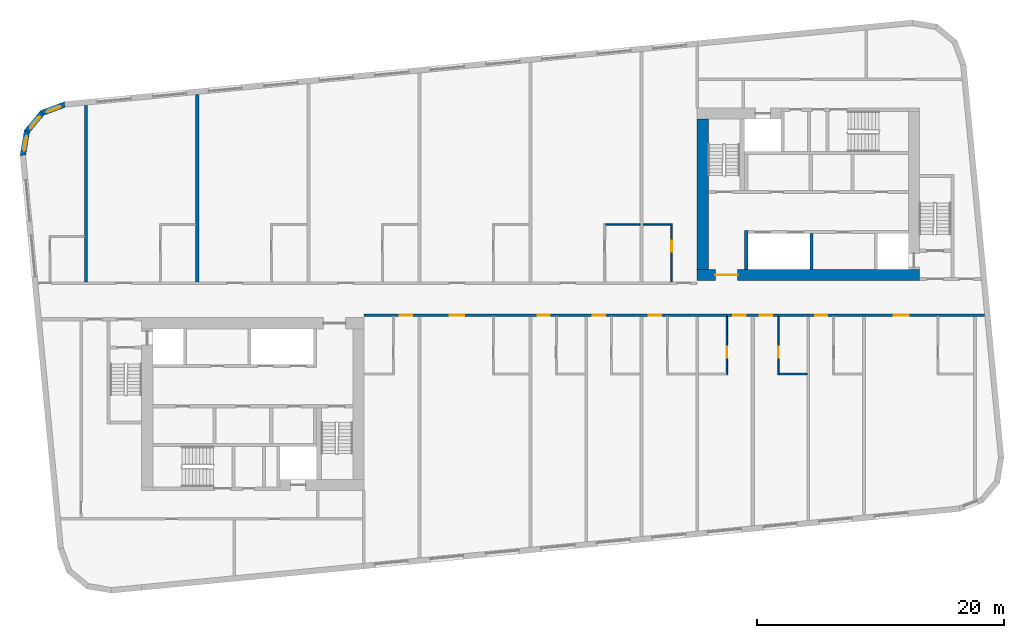
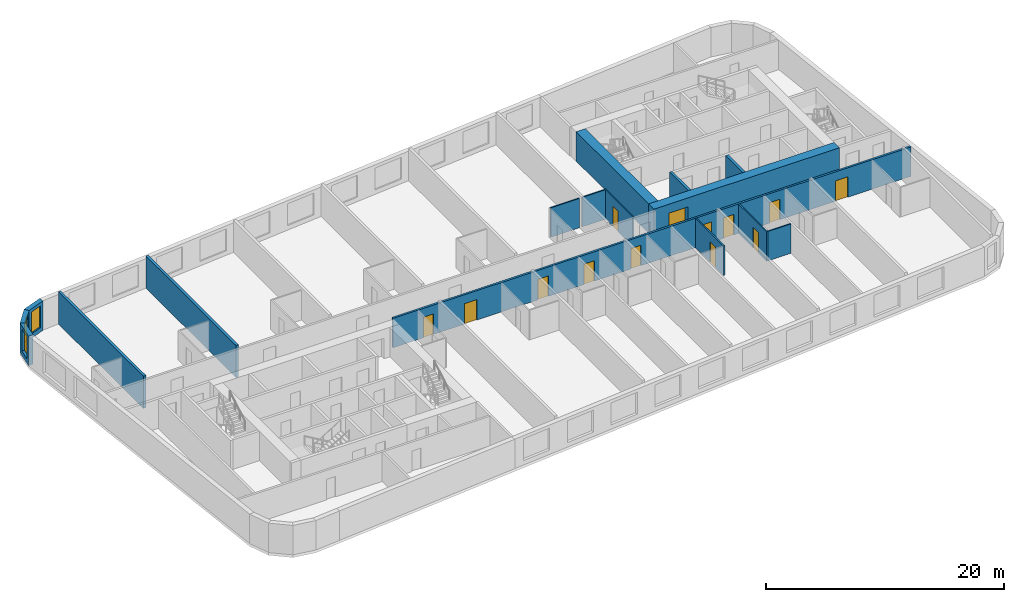
# One storey, part 5 of 11: 16 walls, 13 doors, 3 windows, 16 openings.
"""IFC4 building model written with IfcOpenShell, lengths in metres."""

from ifc_helpers import new_model, si_unit, direction, frame, frame_2d, origin, place, context, subcontext, project, spatial, polyline, rectangle, outline, extrude, material, layer, layer_set, type_object, element, fill, save


model = new_model("IFC4")

# Units and contexts
model_context = context("Model", 3, precision=1e-05, world=origin(), true_north=direction((0.0, 1.0)))
body_context = subcontext(model_context, "Body", "Model", "MODEL_VIEW")
ifc_project = project(units=[si_unit("LENGTHUNIT", "METRE"), si_unit("AREAUNIT", "SQUARE_METRE"), si_unit("VOLUMEUNIT", "CUBIC_METRE"), si_unit("PLANEANGLEUNIT", "RADIAN"), si_unit("MASSUNIT", "GRAM", prefix="KILO")], contexts=[model_context])

# Site, building, storey
site_placement = place(None, origin())
site = spatial("IfcSite", under=ifc_project, at=site_placement, CompositionType="ELEMENT")
building_placement = place(site_placement, origin())
building = spatial("IfcBuilding", under=site, at=building_placement, Name="Kajstack Hotel Tower", CompositionType="ELEMENT")
storey_placement = place(building_placement, frame((0.0, 0.0, 281.699951171875)))
storey = spatial("IfcBuildingStorey", under=building, at=storey_placement, Name="L70", CompositionType="ELEMENT", Elevation=281.699951171875)

# Wall, opening, door
ifc_material_1 = material(Name="Concrete C60/75", Category="concrete")
ifc_layer_1 = layer(ifc_material_1, 0.89990234375)
ifc_layer_set_1 = layer_set([ifc_layer_1], Name="Core wall 900")
wall_type_1 = type_object("IfcWallType", Name="Core wall 900", PredefinedType="SHEAR", material=ifc_layer_set_1)
wall_1_placement = place(storey_placement, frame((13.5, 1.949951171875, 0.0), z_axis=(0.0, 0.0, 1.0), x_axis=(1.0, 0.0, 0.0)))
wall_1 = element("IfcWall", 1, at=wall_1_placement, inside=storey, type_object=wall_type_1, Name="Core wall E RN", PredefinedType="SHEAR", context=body_context, shape_type="SweptSolid", body=[
    extrude(rectangle(XDim=18.0, YDim=0.89990234375, at=frame_2d((9.0, 0.0))), origin(), (0.0, 0.0, 1.0), 3.02001953125),
])
opening_1_placement = place(wall_1_placement, frame((1.47509765625, 0.0, 0.0)))
opening_1 = element("IfcOpeningElement", 2, at=opening_1_placement, cuts=wall_1, Name="Opening 70E05", PredefinedType="OPENING", context=body_context, shape_type="SweptSolid", body=[
    extrude(rectangle(XDim=1.800048828125, YDim=2.10009765625, at=frame_2d((0.89990234375, 1.050048828125))), frame((0.0, 0.4599609375, 0.0), z_axis=(0.0, -1.0, 0.0), x_axis=(1.0, 0.0, 0.0)), (0.0, 0.0, 1.0), 0.919921875),
])
ifc_material_2 = material(Name="Glazed steel frame, fire-rated glass", Category="steel")
door_type_1 = type_object("IfcDoorType", Name="Lobby double door 1800", OperationType="DOUBLE_DOOR_DOUBLE_SWING", PredefinedType="DOOR", material=ifc_material_2)
door_1_placement = place(opening_1_placement, origin())
door_1 = element("IfcDoor", 3, at=door_1_placement, inside=storey, type_object=door_type_1, Name="Door 70E05", OperationType="DOUBLE_DOOR_DOUBLE_SWING", OverallHeight=2.10009765625, OverallWidth=1.800048828125, PredefinedType="DOOR", context=body_context, shape_type="SweptSolid", body=[
    extrude(rectangle(XDim=1.800048828125, YDim=2.10009765625, at=frame_2d((0.89990234375, 1.050048828125))), frame((0.0, 0.02490234375, 0.0), z_axis=(0.0, -1.0, 0.0), x_axis=(1.0, 0.0, 0.0)), (0.0, 0.0, 1.0), 0.050048828125),
])
fill(opening_1, door_1)

# Wall
wall_2_placement = place(storey_placement, frame((13.949951171875, 2.39990234375, 0.0), z_axis=(0.0, 0.0, 1.0), x_axis=(0.0, 1.0, 0.0)))
element("IfcWall", 4, at=wall_2_placement, inside=storey, type_object=wall_type_1, Name="Core wall E RE", PredefinedType="SHEAR", context=body_context, shape_type="SweptSolid", body=[
    extrude(rectangle(XDim=12.2001953125, YDim=0.89990234375, at=frame_2d((6.10009765625, 0.0))), origin(), (0.0, 0.0, 1.0), 3.02001953125),
])

# Wall, openings, doors
ifc_material_3 = material(Name="Gypsum board on steel studs, mineral wool", Category="steel")
ifc_layer_2 = layer(ifc_material_3, 0.199951171875)
ifc_layer_set_2 = layer_set([ifc_layer_2], Name="Corridor wall 200")
wall_type_2 = type_object("IfcWallType", Name="Corridor wall 200", PredefinedType="PARTITIONING", material=ifc_layer_set_2)
wall_3_placement = place(storey_placement, frame((-13.5, -1.300048828125, 0.0), z_axis=(0.0, 0.0, 1.0), x_axis=(1.0, 0.0, 0.0)))
wall_3 = element("IfcWall", 5, at=wall_3_placement, inside=storey, type_object=wall_type_2, Name="G-wall-L70-018", PredefinedType="PARTITIONING", context=body_context, shape_type="SweptSolid", body=[
    extrude(rectangle(XDim=50.29296875, YDim=0.199951171875, at=frame_2d((25.146484375, 0.0))), origin(), (0.0, 0.0, 1.0), 3.02001953125),
])
opening_2_placement = place(wall_3_placement, frame((2.925048828125, 0.0, 0.0)))
opening_2 = element("IfcOpeningElement", 6, at=opening_2_placement, cuts=wall_3, Name="Opening 70015", PredefinedType="OPENING", context=body_context, shape_type="SweptSolid", body=[
    extrude(rectangle(XDim=1.0, YDim=2.10009765625, at=frame_2d((0.5, 1.050048828125))), frame((0.0, 0.10986328125, 0.0), z_axis=(0.0, -1.0, 0.0), x_axis=(1.0, 0.0, 0.0)), (0.0, 0.0, 1.0), 0.219970703125),
])
opening_3_placement = place(wall_3_placement, frame((6.93798828125, 0.0, 0.0)))
opening_3 = element("IfcOpeningElement", 7, at=opening_3_placement, cuts=wall_3, Name="Opening 70017", PredefinedType="OPENING", context=body_context, shape_type="SweptSolid", body=[
    extrude(rectangle(XDim=1.199951171875, YDim=2.10009765625, at=frame_2d((0.60009765625, 1.050048828125))), frame((0.0, 0.10986328125, 0.0), z_axis=(0.0, -1.0, 0.0), x_axis=(1.0, 0.0, 0.0)), (0.0, 0.0, 1.0), 0.219970703125),
])
opening_4_placement = place(wall_3_placement, frame((14.074951171875, 0.0, 0.0)))
opening_4 = element("IfcOpeningElement", 8, at=opening_4_placement, cuts=wall_3, Name="Opening 70019", PredefinedType="OPENING", context=body_context, shape_type="SweptSolid", body=[
    extrude(rectangle(XDim=1.0, YDim=2.10009765625, at=frame_2d((0.5, 1.050048828125))), frame((0.0, 0.10986328125, 0.0), z_axis=(0.0, -1.0, 0.0), x_axis=(1.0, 0.0, 0.0)), (0.0, 0.0, 1.0), 0.219970703125),
])
opening_5_placement = place(wall_3_placement, frame((18.550048828125, 0.0, 0.0)))
opening_5 = element("IfcOpeningElement", 9, at=opening_5_placement, cuts=wall_3, Name="Opening 70021", PredefinedType="OPENING", context=body_context, shape_type="SweptSolid", body=[
    extrude(rectangle(XDim=1.0, YDim=2.10009765625, at=frame_2d((0.5, 1.050048828125))), frame((0.0, 0.10986328125, 0.0), z_axis=(0.0, -1.0, 0.0), x_axis=(1.0, 0.0, 0.0)), (0.0, 0.0, 1.0), 0.219970703125),
])
opening_6_placement = place(wall_3_placement, frame((23.074951171875, 0.0, 0.0)))
opening_6 = element("IfcOpeningElement", 10, at=opening_6_placement, cuts=wall_3, Name="Opening 70023", PredefinedType="OPENING", context=body_context, shape_type="SweptSolid", body=[
    extrude(rectangle(XDim=1.0, YDim=2.10009765625, at=frame_2d((0.5, 1.050048828125))), frame((0.0, 0.10986328125, 0.0), z_axis=(0.0, -1.0, 0.0), x_axis=(1.0, 0.0, 0.0)), (0.0, 0.0, 1.0), 0.219970703125),
])
opening_7_placement = place(wall_3_placement, frame((29.925048828125, 0.0, 0.0)))
opening_7 = element("IfcOpeningElement", 11, at=opening_7_placement, cuts=wall_3, Name="Opening 70025", PredefinedType="OPENING", context=body_context, shape_type="SweptSolid", body=[
    extrude(rectangle(XDim=1.0, YDim=2.10009765625, at=frame_2d((0.5, 1.050048828125))), frame((0.0, 0.10986328125, 0.0), z_axis=(0.0, -1.0, 0.0), x_axis=(1.0, 0.0, 0.0)), (0.0, 0.0, 1.0), 0.219970703125),
])
opening_8_placement = place(wall_3_placement, frame((32.074951171875, 0.0, 0.0)))
opening_8 = element("IfcOpeningElement", 12, at=opening_8_placement, cuts=wall_3, Name="Opening 70027", PredefinedType="OPENING", context=body_context, shape_type="SweptSolid", body=[
    extrude(rectangle(XDim=1.0, YDim=2.10009765625, at=frame_2d((0.5, 1.050048828125))), frame((0.0, 0.10986328125, 0.0), z_axis=(0.0, -1.0, 0.0), x_axis=(1.0, 0.0, 0.0)), (0.0, 0.0, 1.0), 0.219970703125),
])
opening_9_placement = place(wall_3_placement, frame((36.550048828125, 0.0, 0.0)))
opening_9 = element("IfcOpeningElement", 13, at=opening_9_placement, cuts=wall_3, Name="Opening 70029", PredefinedType="OPENING", context=body_context, shape_type="SweptSolid", body=[
    extrude(rectangle(XDim=1.0, YDim=2.10009765625, at=frame_2d((0.5, 1.050048828125))), frame((0.0, 0.10986328125, 0.0), z_axis=(0.0, -1.0, 0.0), x_axis=(1.0, 0.0, 0.0)), (0.0, 0.0, 1.0), 0.219970703125),
])
opening_10_placement = place(wall_3_placement, frame((42.93798828125, 0.0, 0.0)))
opening_10 = element("IfcOpeningElement", 14, at=opening_10_placement, cuts=wall_3, Name="Opening 70031", PredefinedType="OPENING", context=body_context, shape_type="SweptSolid", body=[
    extrude(rectangle(XDim=1.199951171875, YDim=2.10009765625, at=frame_2d((0.60009765625, 1.050048828125))), frame((0.0, 0.10986328125, 0.0), z_axis=(0.0, -1.0, 0.0), x_axis=(1.0, 0.0, 0.0)), (0.0, 0.0, 1.0), 0.219970703125),
])
ifc_material_4 = material(Name="Oak veneer on timber core, fire-rated leaf", Category="wood")
door_type_2 = type_object("IfcDoorType", Name="Flat entrance door 1000", OperationType="SINGLE_SWING_LEFT", PredefinedType="DOOR", material=ifc_material_4)
door_2_placement = place(opening_2_placement, origin())
door_2 = element("IfcDoor", 15, at=door_2_placement, inside=storey, type_object=door_type_2, Name="G-door-L70-15", OperationType="SINGLE_SWING_LEFT", OverallHeight=2.10009765625, OverallWidth=1.0, PredefinedType="DOOR", context=body_context, shape_type="SweptSolid", body=[
    extrude(rectangle(XDim=1.0, YDim=2.10009765625, at=frame_2d((0.5, 1.050048828125))), frame((0.0, 0.02490234375, 0.0), z_axis=(0.0, -1.0, 0.0), x_axis=(1.0, 0.0, 0.0)), (0.0, 0.0, 1.0), 0.050048828125),
])
fill(opening_2, door_2)
door_3_placement = place(opening_4_placement, origin())
door_3 = element("IfcDoor", 16, at=door_3_placement, inside=storey, type_object=door_type_2, Name="G-door-L70-19", OperationType="SINGLE_SWING_LEFT", OverallHeight=2.10009765625, OverallWidth=1.0, PredefinedType="DOOR", context=body_context, shape_type="SweptSolid", body=[
    extrude(rectangle(XDim=1.0, YDim=2.10009765625, at=frame_2d((0.5, 1.050048828125))), frame((0.0, 0.02490234375, 0.0), z_axis=(0.0, -1.0, 0.0), x_axis=(1.0, 0.0, 0.0)), (0.0, 0.0, 1.0), 0.050048828125),
])
fill(opening_4, door_3)
door_4_placement = place(opening_5_placement, origin())
door_4 = element("IfcDoor", 17, at=door_4_placement, inside=storey, type_object=door_type_2, Name="G-door-L70-21", OperationType="SINGLE_SWING_RIGHT", OverallHeight=2.10009765625, OverallWidth=1.0, PredefinedType="DOOR", context=body_context, shape_type="SweptSolid", body=[
    extrude(rectangle(XDim=1.0, YDim=2.10009765625, at=frame_2d((0.5, 1.050048828125))), frame((0.0, 0.02490234375, 0.0), z_axis=(0.0, -1.0, 0.0), x_axis=(1.0, 0.0, 0.0)), (0.0, 0.0, 1.0), 0.050048828125),
])
fill(opening_5, door_4)
door_5_placement = place(opening_6_placement, origin())
door_5 = element("IfcDoor", 18, at=door_5_placement, inside=storey, type_object=door_type_2, Name="G-door-L70-23", OperationType="SINGLE_SWING_LEFT", OverallHeight=2.10009765625, OverallWidth=1.0, PredefinedType="DOOR", context=body_context, shape_type="SweptSolid", body=[
    extrude(rectangle(XDim=1.0, YDim=2.10009765625, at=frame_2d((0.5, 1.050048828125))), frame((0.0, 0.02490234375, 0.0), z_axis=(0.0, -1.0, 0.0), x_axis=(1.0, 0.0, 0.0)), (0.0, 0.0, 1.0), 0.050048828125),
])
fill(opening_6, door_5)
door_6_placement = place(opening_7_placement, origin())
door_6 = element("IfcDoor", 19, at=door_6_placement, inside=storey, type_object=door_type_2, Name="G-door-L70-25", OperationType="SINGLE_SWING_LEFT", OverallHeight=2.10009765625, OverallWidth=1.0, PredefinedType="DOOR", context=body_context, shape_type="SweptSolid", body=[
    extrude(rectangle(XDim=1.0, YDim=2.10009765625, at=frame_2d((0.5, 1.050048828125))), frame((0.0, 0.02490234375, 0.0), z_axis=(0.0, -1.0, 0.0), x_axis=(1.0, 0.0, 0.0)), (0.0, 0.0, 1.0), 0.050048828125),
])
fill(opening_7, door_6)
door_7_placement = place(opening_8_placement, origin())
door_7 = element("IfcDoor", 20, at=door_7_placement, inside=storey, type_object=door_type_2, Name="G-door-L70-27", OperationType="SINGLE_SWING_RIGHT", OverallHeight=2.10009765625, OverallWidth=1.0, PredefinedType="DOOR", context=body_context, shape_type="SweptSolid", body=[
    extrude(rectangle(XDim=1.0, YDim=2.10009765625, at=frame_2d((0.5, 1.050048828125))), frame((0.0, 0.02490234375, 0.0), z_axis=(0.0, -1.0, 0.0), x_axis=(1.0, 0.0, 0.0)), (0.0, 0.0, 1.0), 0.050048828125),
])
fill(opening_8, door_7)
door_8_placement = place(opening_9_placement, origin())
door_8 = element("IfcDoor", 21, at=door_8_placement, inside=storey, type_object=door_type_2, Name="G-door-L70-29", OperationType="SINGLE_SWING_RIGHT", OverallHeight=2.10009765625, OverallWidth=1.0, PredefinedType="DOOR", context=body_context, shape_type="SweptSolid", body=[
    extrude(rectangle(XDim=1.0, YDim=2.10009765625, at=frame_2d((0.5, 1.050048828125))), frame((0.0, 0.02490234375, 0.0), z_axis=(0.0, -1.0, 0.0), x_axis=(1.0, 0.0, 0.0)), (0.0, 0.0, 1.0), 0.050048828125),
])
fill(opening_9, door_8)
door_type_3 = type_object("IfcDoorType", Name="Flat entrance door 1200", OperationType="SINGLE_SWING_LEFT", PredefinedType="DOOR", material=ifc_material_4)
door_9_placement = place(opening_3_placement, origin())
door_9 = element("IfcDoor", 22, at=door_9_placement, inside=storey, type_object=door_type_3, Name="G-door-L70-17", OperationType="SINGLE_SWING_LEFT", OverallHeight=2.10009765625, OverallWidth=1.199951171875, PredefinedType="DOOR", context=body_context, shape_type="SweptSolid", body=[
    extrude(rectangle(XDim=1.199951171875, YDim=2.10009765625, at=frame_2d((0.60009765625, 1.050048828125))), frame((0.0, 0.02490234375, 0.0), z_axis=(0.0, -1.0, 0.0), x_axis=(1.0, 0.0, 0.0)), (0.0, 0.0, 1.0), 0.050048828125),
])
fill(opening_3, door_9)
door_10_placement = place(opening_10_placement, origin())
door_10 = element("IfcDoor", 23, at=door_10_placement, inside=storey, type_object=door_type_3, Name="G-door-L70-31", OperationType="SINGLE_SWING_LEFT", OverallHeight=2.10009765625, OverallWidth=1.199951171875, PredefinedType="DOOR", context=body_context, shape_type="SweptSolid", body=[
    extrude(rectangle(XDim=1.199951171875, YDim=2.10009765625, at=frame_2d((0.60009765625, 1.050048828125))), frame((0.0, 0.02490234375, 0.0), z_axis=(0.0, -1.0, 0.0), x_axis=(1.0, 0.0, 0.0)), (0.0, 0.0, 1.0), 0.050048828125),
])
fill(opening_10, door_10)

# Wall, opening, window
ifc_material_5 = material(Name="Terracotta-faced brick masonry", Category="masonry")
ifc_layer_3 = layer(ifc_material_5, 0.449951171875)
ifc_layer_set_3 = layer_set([ifc_layer_3], Name="EW-TERRA")
wall_type_3 = type_object("IfcWallType", Name="EW-TERRA", PredefinedType="SOLIDWALL", material=ifc_layer_set_3)
wall_4_placement = place(storey_placement, frame((-37.67919921875, 15.79052734375, 0.0), z_axis=(0.0, 0.0, 1.0), x_axis=(-0.936677599948, -0.350192909346, 0.0)))
wall_4 = element("IfcWall", 24, at=wall_4_placement, inside=storey, type_object=wall_type_3, Name="E-wall-L70-13-00", PredefinedType="SOLIDWALL", context=body_context, shape_type="SweptSolid", body=[
    extrude(outline(polyline([(0.000244140625, -0.224853515625), (2.070556640625, -0.224853515625), (1.949951171875, 0.22509765625), (0.12060546875, 0.22509765625), (0.000244140625, -0.224853515625)])), origin(), (0.0, 0.0, 1.0), 3.02001953125),
])
opening_11_placement = place(wall_4_placement, frame((0.435302734375, 0.0, 0.449951171875)))
opening_11 = element("IfcOpeningElement", 25, at=opening_11_placement, cuts=wall_4, Name="Opening W3", PredefinedType="OPENING", context=body_context, shape_type="SweptSolid", body=[
    extrude(rectangle(XDim=1.199951171875, YDim=2.25, at=frame_2d((0.60009765625, 1.125))), frame((0.0, 0.23486328125, 0.0), z_axis=(0.0, -1.0, 0.0), x_axis=(1.0, 0.0, 0.0)), (0.0, 0.0, 1.0), 0.469970703125),
])
ifc_material_6 = material(Name="Timber-aluminium window, triple glazed", Category="wood")
window_type = type_object("IfcWindowType", Name="WG3", PartitioningType="SINGLE_PANEL", PredefinedType="WINDOW", material=ifc_material_6)
window_1_placement = place(opening_11_placement, origin())
window_1 = element("IfcWindow", 26, at=window_1_placement, inside=storey, type_object=window_type, Name="Window W3 L70-13", OverallHeight=2.25, OverallWidth=1.199951171875, PartitioningType="SINGLE_PANEL", PredefinedType="WINDOW", context=body_context, shape_type="SweptSolid", body=[
    extrude(rectangle(XDim=1.199951171875, YDim=2.25, at=frame_2d((0.60009765625, 1.125))), frame((0.0, 0.090087890625, 0.0), z_axis=(0.0, -1.0, 0.0), x_axis=(1.0, 0.0, 0.0)), (0.0, 0.0, 1.0), 0.06005859375),
])
fill(opening_11, window_1)

wall_5_placement = place(storey_placement, frame((-39.52392578125, 15.133056640625, 0.0), z_axis=(0.0, 0.0, 1.0), x_axis=(-0.636046112757, -0.771651049663, 0.0)))
wall_5 = element("IfcWall", 27, at=wall_5_placement, inside=storey, type_object=wall_type_3, Name="E-wall-L70-14-00", PredefinedType="SOLIDWALL", context=body_context, shape_type="SweptSolid", body=[
    extrude(outline(polyline([(0.0, -0.224853515625), (2.070556640625, -0.224853515625), (1.949951171875, 0.22509765625), (0.12060546875, 0.22509765625), (0.0, -0.224853515625)])), origin(), (0.0, 0.0, 1.0), 3.02001953125),
])
opening_12_placement = place(wall_5_placement, frame((0.435302734375, 0.0, 0.449951171875)))
opening_12 = element("IfcOpeningElement", 28, at=opening_12_placement, cuts=wall_5, Name="Opening W3", PredefinedType="OPENING", context=body_context, shape_type="SweptSolid", body=[
    extrude(rectangle(XDim=1.199951171875, YDim=2.25, at=frame_2d((0.60009765625, 1.125))), frame((0.0, 0.23486328125, 0.0), z_axis=(0.0, -1.0, 0.0), x_axis=(1.0, 0.0, 0.0)), (0.0, 0.0, 1.0), 0.469970703125),
])
window_2_placement = place(opening_12_placement, origin())
window_2 = element("IfcWindow", 29, at=window_2_placement, inside=storey, type_object=window_type, Name="Window W3 L70-14", OverallHeight=2.25, OverallWidth=1.199951171875, PartitioningType="SINGLE_PANEL", PredefinedType="WINDOW", context=body_context, shape_type="SweptSolid", body=[
    extrude(rectangle(XDim=1.199951171875, YDim=2.25, at=frame_2d((0.60009765625, 1.125))), frame((0.0, 0.090087890625, 0.0), z_axis=(0.0, -1.0, 0.0), x_axis=(1.0, 0.0, 0.0)), (0.0, 0.0, 1.0), 0.06005859375),
])
fill(opening_12, window_2)

wall_6_placement = place(storey_placement, frame((-40.79248046875, 13.641357421875, 0.0), z_axis=(0.0, 0.0, 1.0), x_axis=(-0.165068144653, -0.986282164302, 0.0)))
wall_6 = element("IfcWall", 30, at=wall_6_placement, inside=storey, type_object=wall_type_3, Name="E-wall-L70-15-00", PredefinedType="SOLIDWALL", context=body_context, shape_type="SweptSolid", body=[
    extrude(outline(polyline([(0.0, -0.22509765625), (2.070556640625, -0.22509765625), (1.949951171875, 0.224853515625), (0.12060546875, 0.224853515625), (0.0, -0.22509765625)])), origin(), (0.0, 0.0, 1.0), 3.02001953125),
])
opening_13_placement = place(wall_6_placement, frame((0.435302734375, 0.0, 0.449951171875)))
opening_13 = element("IfcOpeningElement", 31, at=opening_13_placement, cuts=wall_6, Name="Opening W3", PredefinedType="OPENING", context=body_context, shape_type="SweptSolid", body=[
    extrude(rectangle(XDim=1.199951171875, YDim=2.25, at=frame_2d((0.60009765625, 1.125))), frame((0.0, 0.23486328125, 0.0), z_axis=(0.0, -1.0, 0.0), x_axis=(1.0, 0.0, 0.0)), (0.0, 0.0, 1.0), 0.469970703125),
])
window_3_placement = place(opening_13_placement, origin())
window_3 = element("IfcWindow", 32, at=window_3_placement, inside=storey, type_object=window_type, Name="Window W3 L70-15", OverallHeight=2.25, OverallWidth=1.199951171875, PartitioningType="SINGLE_PANEL", PredefinedType="WINDOW", context=body_context, shape_type="SweptSolid", body=[
    extrude(rectangle(XDim=1.199951171875, YDim=2.25, at=frame_2d((0.60009765625, 1.125))), frame((0.0, 0.090087890625, 0.0), z_axis=(0.0, -1.0, 0.0), x_axis=(1.0, 0.0, 0.0)), (0.0, 0.0, 1.0), 0.06005859375),
])
fill(opening_13, window_3)

# Wall
ifc_material_7 = material(Name="Gypsum board and tiled backer on steel studs", Category="steel")
ifc_layer_4 = layer(ifc_material_7, 0.125)
ifc_layer_set_4 = layer_set([ifc_layer_4], Name="En-suite wall 125")
wall_type_4 = type_object("IfcWallType", Name="En-suite wall 125", PredefinedType="PARTITIONING", material=ifc_layer_set_4)
wall_7_placement = place(storey_placement, frame((6.074951171875, 6.06201171875, 0.0), z_axis=(0.0, 0.0, 1.0), x_axis=(1.0, 0.0, 0.0)))
element("IfcWall", 33, at=wall_7_placement, inside=storey, type_object=wall_type_4, Name="G-wall-L70-015", PredefinedType="PARTITIONING", context=body_context, shape_type="SweptSolid", body=[
    extrude(rectangle(XDim=2.800048828125, YDim=0.125, at=frame_2d((1.39990234375, 0.0))), origin(), (0.0, 0.0, 1.0), 3.02001953125),
])

# Wall, opening, door
wall_8_placement = place(storey_placement, frame((11.43798828125, 1.39990234375, 0.0), z_axis=(0.0, 0.0, 1.0), x_axis=(0.0, 1.0, 0.0)))
wall_8 = element("IfcWall", 34, at=wall_8_placement, inside=storey, type_object=wall_type_4, Name="G-wall-L70-016", PredefinedType="PARTITIONING", context=body_context, shape_type="SweptSolid", body=[
    extrude(rectangle(XDim=4.72509765625, YDim=0.125, at=frame_2d((2.362548828125, 0.0))), origin(), (0.0, 0.0, 1.0), 3.02001953125),
])
opening_14_placement = place(wall_8_placement, frame((2.449951171875, 0.0, 0.0)))
opening_14 = element("IfcOpeningElement", 35, at=opening_14_placement, cuts=wall_8, Name="Opening 70014", PredefinedType="OPENING", context=body_context, shape_type="SweptSolid", body=[
    extrude(rectangle(XDim=0.89990234375, YDim=2.10009765625, at=frame_2d((0.449951171875, 1.050048828125))), frame((0.0, 0.072509765625, 0.0), z_axis=(0.0, -1.0, 0.0), x_axis=(1.0, 0.0, 0.0)), (0.0, 0.0, 1.0), 0.14501953125),
])
ifc_material_8 = material(Name="Painted timber door leaf", Category="wood")
door_type_4 = type_object("IfcDoorType", Name="Room door 900", OperationType="SINGLE_SWING_LEFT", PredefinedType="DOOR", material=ifc_material_8)
door_11_placement = place(opening_14_placement, origin())
door_11 = element("IfcDoor", 36, at=door_11_placement, inside=storey, type_object=door_type_4, Name="G-door-L70-14", OperationType="SINGLE_SWING_LEFT", OverallHeight=2.10009765625, OverallWidth=0.89990234375, PredefinedType="DOOR", context=body_context, shape_type="SweptSolid", body=[
    extrude(rectangle(XDim=0.89990234375, YDim=2.10009765625, at=frame_2d((0.449951171875, 1.050048828125))), frame((0.0, 0.02490234375, 0.0), z_axis=(0.0, -1.0, 0.0), x_axis=(1.0, 0.0, 0.0)), (0.0, 0.0, 1.0), 0.050048828125),
])
fill(opening_14, door_11)

# Wall
wall_9_placement = place(storey_placement, frame((9.125, 6.06201171875, 0.0), z_axis=(0.0, 0.0, 1.0), x_axis=(1.0, 0.0, 0.0)))
element("IfcWall", 37, at=wall_9_placement, inside=storey, type_object=wall_type_4, Name="G-wall-L70-017", PredefinedType="PARTITIONING", context=body_context, shape_type="SweptSolid", body=[
    extrude(rectangle(XDim=2.25, YDim=0.125, at=frame_2d((1.125, 0.0))), origin(), (0.0, 0.0, 1.0), 3.02001953125),
])

# Wall, opening, door
wall_10_placement = place(storey_placement, frame((15.912109375, -6.125, 0.0), z_axis=(0.0, 0.0, 1.0), x_axis=(0.0, 1.0, 0.0)))
wall_10 = element("IfcWall", 38, at=wall_10_placement, inside=storey, type_object=wall_type_4, Name="G-wall-L70-031", PredefinedType="PARTITIONING", context=body_context, shape_type="SweptSolid", body=[
    extrude(rectangle(XDim=4.72509765625, YDim=0.125, at=frame_2d((2.362548828125, 0.0))), origin(), (0.0, 0.0, 1.0), 3.02001953125),
])
opening_15_placement = place(wall_10_placement, frame((1.375, 0.0, 0.0)))
opening_15 = element("IfcOpeningElement", 39, at=opening_15_placement, cuts=wall_10, Name="Opening 70026", PredefinedType="OPENING", context=body_context, shape_type="SweptSolid", body=[
    extrude(rectangle(XDim=0.89990234375, YDim=2.10009765625, at=frame_2d((0.449951171875, 1.050048828125))), frame((0.0, 0.072509765625, 0.0), z_axis=(0.0, -1.0, 0.0), x_axis=(1.0, 0.0, 0.0)), (0.0, 0.0, 1.0), 0.14501953125),
])
door_12_placement = place(opening_15_placement, origin())
door_12 = element("IfcDoor", 40, at=door_12_placement, inside=storey, type_object=door_type_4, Name="G-door-L70-26", OperationType="SINGLE_SWING_RIGHT", OverallHeight=2.10009765625, OverallWidth=0.89990234375, PredefinedType="DOOR", context=body_context, shape_type="SweptSolid", body=[
    extrude(rectangle(XDim=0.89990234375, YDim=2.10009765625, at=frame_2d((0.449951171875, 1.050048828125))), frame((0.0, 0.02490234375, 0.0), z_axis=(0.0, -1.0, 0.0), x_axis=(1.0, 0.0, 0.0)), (0.0, 0.0, 1.0), 0.050048828125),
])
fill(opening_15, door_12)

wall_11_placement = place(storey_placement, frame((20.0869140625, -6.125, 0.0), z_axis=(0.0, 0.0, 1.0), x_axis=(0.0, 1.0, 0.0)))
wall_11 = element("IfcWall", 41, at=wall_11_placement, inside=storey, type_object=wall_type_4, Name="G-wall-L70-034", PredefinedType="PARTITIONING", context=body_context, shape_type="SweptSolid", body=[
    extrude(rectangle(XDim=4.72509765625, YDim=0.125, at=frame_2d((2.362548828125, 0.0))), origin(), (0.0, 0.0, 1.0), 3.02001953125),
])
opening_16_placement = place(wall_11_placement, frame((1.375, 0.0, 0.0)))
opening_16 = element("IfcOpeningElement", 42, at=opening_16_placement, cuts=wall_11, Name="Opening 70028", PredefinedType="OPENING", context=body_context, shape_type="SweptSolid", body=[
    extrude(rectangle(XDim=0.89990234375, YDim=2.10009765625, at=frame_2d((0.449951171875, 1.050048828125))), frame((0.0, 0.072509765625, 0.0), z_axis=(0.0, -1.0, 0.0), x_axis=(1.0, 0.0, 0.0)), (0.0, 0.0, 1.0), 0.14501953125),
])
door_13_placement = place(opening_16_placement, origin())
door_13 = element("IfcDoor", 43, at=door_13_placement, inside=storey, type_object=door_type_4, Name="G-door-L70-28", OperationType="SINGLE_SWING_LEFT", OverallHeight=2.10009765625, OverallWidth=0.89990234375, PredefinedType="DOOR", context=body_context, shape_type="SweptSolid", body=[
    extrude(rectangle(XDim=0.89990234375, YDim=2.10009765625, at=frame_2d((0.449951171875, 1.050048828125))), frame((0.0, 0.02490234375, 0.0), z_axis=(0.0, -1.0, 0.0), x_axis=(1.0, 0.0, 0.0)), (0.0, 0.0, 1.0), 0.050048828125),
])
fill(opening_16, door_13)

# Walls
wall_12_placement = place(storey_placement, frame((20.14990234375, -6.06201171875, 0.0), z_axis=(0.0, 0.0, 1.0), x_axis=(1.0, 0.0, 0.0)))
element("IfcWall", 44, at=wall_12_placement, inside=storey, type_object=wall_type_4, Name="G-wall-L70-035", PredefinedType="PARTITIONING", context=body_context, shape_type="SweptSolid", body=[
    extrude(rectangle(XDim=2.25, YDim=0.125, at=frame_2d((1.125, 0.0))), origin(), (0.0, 0.0, 1.0), 3.02001953125),
])
ifc_material_9 = material(Name="Concrete C50/60", Category="concrete")
ifc_layer_5 = layer(ifc_material_9, 0.300048828125)
ifc_layer_set_5 = layer_set([ifc_layer_5], Name="Hoistway divider wall 300")
wall_type_5 = type_object("IfcWallType", Name="Hoistway divider wall 300", PredefinedType="SHEAR", material=ifc_layer_set_5)
wall_13_placement = place(storey_placement, frame((22.77490234375, 2.39990234375, 0.0), z_axis=(0.0, 0.0, 1.0), x_axis=(0.0, 1.0, 0.0)))
element("IfcWall", 45, at=wall_13_placement, inside=storey, type_object=wall_type_5, Name="Core wall E AP2", PredefinedType="SHEAR", context=body_context, shape_type="SweptSolid", body=[
    extrude(rectangle(XDim=2.900146484375, YDim=0.25, at=frame_2d((1.4501953125, 0.0))), origin(), (0.0, 0.0, 1.0), 3.02001953125),
])
ifc_material_10 = material(Name="Concrete C40/50", Category="concrete")
ifc_layer_6 = layer(ifc_material_10, 0.25)
ifc_layer_set_6 = layer_set([ifc_layer_6], Name="RC cross wall 250 C40/50")
wall_type_6 = type_object("IfcWallType", Name="RC cross wall 250 C40/50", PredefinedType="SHEAR", material=ifc_layer_set_6)
wall_14_placement = place(storey_placement, frame((-36.0, 1.39990234375, 0.0), z_axis=(0.0, 0.0, 1.0), x_axis=(0.0, 1.0, 0.0)))
element("IfcWall", 46, at=wall_14_placement, inside=storey, type_object=wall_type_6, Name="S-wall-L70-01", PredefinedType="SHEAR", context=body_context, shape_type="SweptSolid", body=[
    extrude(rectangle(XDim=14.29638671875, YDim=0.25, at=frame_2d((7.148193359375, 0.0))), origin(), (0.0, 0.0, 1.0), 3.300048828125),
])
wall_15_placement = place(storey_placement, frame((-27.0, 1.39990234375, 0.0), z_axis=(0.0, 0.0, 1.0), x_axis=(0.0, 1.0, 0.0)))
element("IfcWall", 47, at=wall_15_placement, inside=storey, type_object=wall_type_6, Name="S-wall-L70-02", PredefinedType="SHEAR", context=body_context, shape_type="SweptSolid", body=[
    extrude(rectangle(XDim=15.1630859375, YDim=0.25, at=frame_2d((7.58154296875, 0.0))), origin(), (0.0, 0.0, 1.0), 3.300048828125),
])
ifc_layer_7 = layer(ifc_material_9, 0.25)
ifc_layer_set_7 = layer_set([ifc_layer_7], Name="Shaft wall 250")
wall_type_7 = type_object("IfcWallType", Name="Shaft wall 250", PredefinedType="SHEAR", material=ifc_layer_set_7)
wall_16_placement = place(storey_placement, frame((17.47509765625, 2.39990234375, 0.0), z_axis=(0.0, 0.0, 1.0), x_axis=(0.0, 1.0, 0.0)))
element("IfcWall", 48, at=wall_16_placement, inside=storey, type_object=wall_type_7, Name="Core wall E AE", PredefinedType="SHEAR", context=body_context, shape_type="SweptSolid", body=[
    extrude(rectangle(XDim=3.150146484375, YDim=0.25, at=frame_2d((1.5751953125, 0.0))), origin(), (0.0, 0.0, 1.0), 3.02001953125),
])

save(model, "model.ifc")
